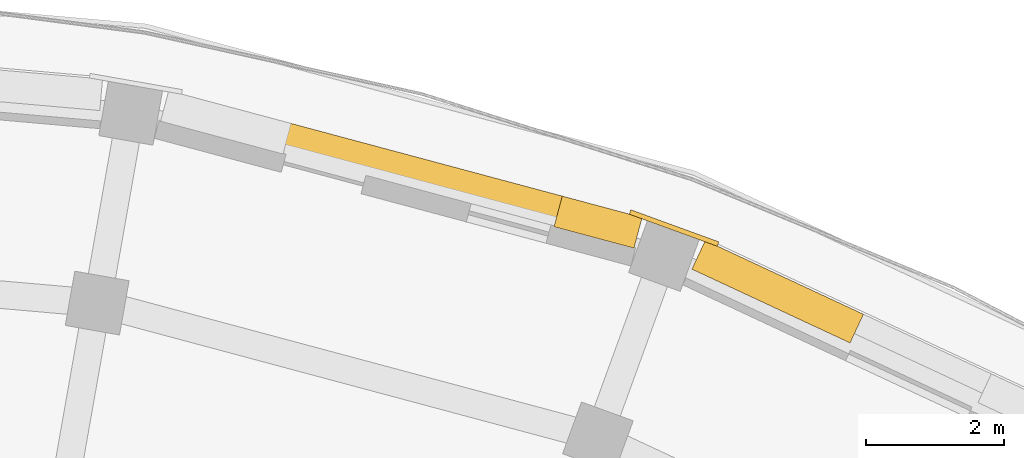
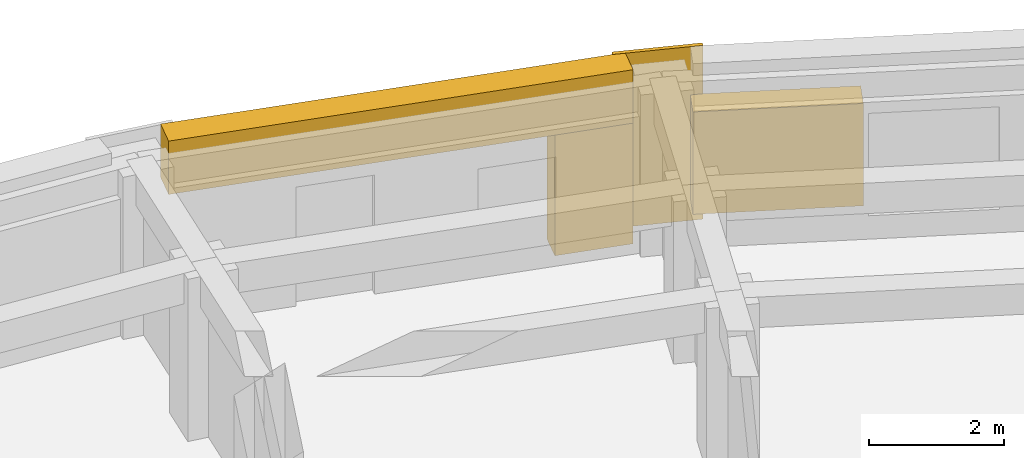
# One storey, part 54 of 54: 4 coverings.
"""IFC4 building model written with IfcOpenShell, lengths in metres."""

from ifc_helpers import new_model, si_unit, direction, frame, origin, place, context, subcontext, project, spatial, polyline, outline, extrude, material, layer, layer_set, type_object, element, save


model = new_model("IFC4")

# Units and contexts
model_context = context("Model", 3, precision=1e-05, world=origin(), true_north=direction((0.0, 1.0)))
body_context = subcontext(model_context, "Body", "Model", "MODEL_VIEW")
ifc_project = project(units=[si_unit("LENGTHUNIT", "METRE"), si_unit("AREAUNIT", "SQUARE_METRE"), si_unit("VOLUMEUNIT", "CUBIC_METRE"), si_unit("PLANEANGLEUNIT", "RADIAN"), si_unit("MASSUNIT", "GRAM", prefix="KILO")], contexts=[model_context])

# Site, building, storey
site_placement = place(None, origin())
site = spatial("IfcSite", under=ifc_project, at=site_placement, CompositionType="ELEMENT")
building_placement = place(site_placement, origin())
building = spatial("IfcBuilding", under=site, at=building_placement, Name="Kiranvali Square Residences", CompositionType="ELEMENT")
storey_placement = place(building_placement, frame((0.0, 0.0, 15.0)))
storey = spatial("IfcBuildingStorey", under=building, at=storey_placement, Name="L04", CompositionType="ELEMENT", Elevation=15.0)

# Coverings
ifc_material = material(Name="Honed Porbandar limestone ashlar facade cladding", Category="masonry")
ifc_layer_1 = layer(ifc_material, 0.3798828125)
ifc_layer_set_1 = layer_set([ifc_layer_1], Name="Honed Porbandar limestone ashlar facade cladding")
covering_type_1 = type_object("IfcCoveringType", Name="COV-CLAD-JAMB", PredefinedType="CLADDING", material=ifc_layer_set_1)
covering_1_placement = place(storey_placement, origin())
element("IfcCovering", 1, at=covering_1_placement, inside=storey, type_object=covering_type_1, Name="L04 deep limestone window jamb reveal B-L04-CRV-01.R", PredefinedType="CLADDING", context=body_context, shape_type="SweptSolid", body=[
    extrude(outline(polyline([(133.9384765625, 131.45361328125), (135.098388671875, 131.142822265625), (135.21728515625, 131.586669921875), (134.057373046875, 131.8974609375), (133.9384765625, 131.45361328125)])), origin(), (0.0, 0.0, 1.0), 2.179931640625),
])
covering_2_placement = place(storey_placement, frame((0.0, 0.0, 0.422119140625)))
element("IfcCovering", 2, at=covering_2_placement, inside=storey, type_object=covering_type_1, Name="L04 deep limestone window jamb reveal B-L04-CRV-02.L", PredefinedType="CLADDING", context=body_context, shape_type="SweptSolid", body=[
    extrude(outline(polyline([(135.94091796875, 130.836181640625), (138.23779296875, 129.76513671875), (138.431884765625, 130.181640625), (136.13525390625, 131.252685546875), (135.94091796875, 130.836181640625)])), origin(), (0.0, 0.0, 1.0), 1.849853515625),
])
ifc_layer_2 = layer(ifc_material, 0.06494140625)
ifc_layer_set_2 = layer_set([ifc_layer_2], Name="Honed Porbandar limestone ashlar facade cladding")
covering_type_2 = type_object("IfcCoveringType", Name="COV-CLAD-PIER", PredefinedType="CLADDING", material=ifc_layer_set_2)
covering_3_placement = place(storey_placement, frame((0.0, 0.0, 0.0048828125)))
element("IfcCovering", 3, at=covering_3_placement, inside=storey, type_object=covering_type_2, Name="L04 Classical limestone corner pilaster CLAD-PR-B-L04-A02", PredefinedType="CLADDING", context=body_context, shape_type="SweptSolid", body=[
    extrude(outline(polyline([(136.33203125, 131.233154296875), (135.053955078125, 131.6982421875), (135.031005859375, 131.634765625), (136.308837890625, 131.169677734375), (136.33203125, 131.233154296875)])), origin(), (0.0, 0.0, 1.0), 3.14013671875),
])
ifc_layer_3 = layer(ifc_material, 0.360107421875)
ifc_layer_set_3 = layer_set([ifc_layer_3], Name="Honed Porbandar limestone ashlar facade cladding")
covering_type_3 = type_object("IfcCoveringType", Name="COV-CLAD-WALL", PredefinedType="CLADDING", material=ifc_layer_set_3)
covering_4_placement = place(storey_placement, frame((0.0, 0.0, 2.179931640625)))
element("IfcCovering", 4, at=covering_4_placement, inside=storey, type_object=covering_type_3, Name="L04 light limestone spandrel lintel B-L04-CRV-01", PredefinedType="CLADDING", context=body_context, shape_type="SweptSolid", body=[
    extrude(outline(polyline([(128.22265625, 132.985107421875), (135.098388671875, 131.142822265625), (135.21728515625, 131.586669921875), (128.341552734375, 133.428955078125), (128.22265625, 132.985107421875)])), origin(), (0.0, 0.0, 1.0), 0.965087890625),
])

save(model, "model.ifc")
